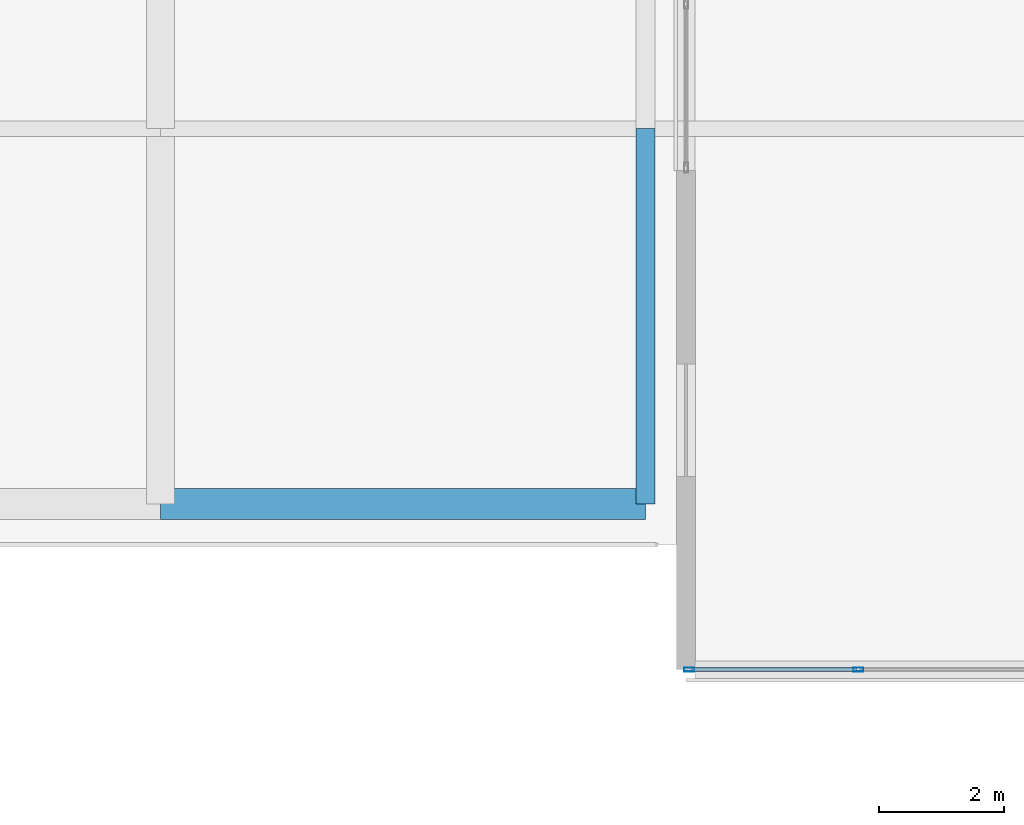
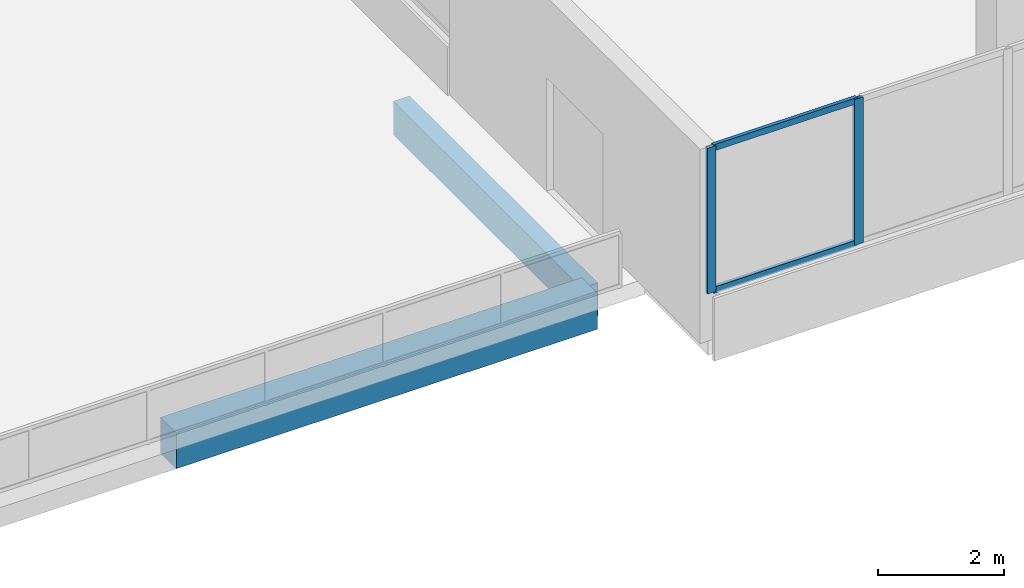
# One storey, part 38 of 78: 4 members, 2 beams, 1 element without a shape of its own.
"""IFC4 building model written with IfcOpenShell, lengths in metres."""

from ifc_helpers import new_model, si_unit, direction, frame, origin, origin_2d, place, context, subcontext, project, spatial, rectangle, hollow_rectangle, extrude, material, material_profile, profile_set, type_object, element, aggregate, save


model = new_model("IFC4")

# Units and contexts
model_context = context("Model", 3, precision=1e-05, world=origin(), true_north=direction((0.0, 1.0)))
body_context = subcontext(model_context, "Body", "Model", "MODEL_VIEW")
ifc_project = project(units=[si_unit("LENGTHUNIT", "METRE"), si_unit("AREAUNIT", "SQUARE_METRE"), si_unit("VOLUMEUNIT", "CUBIC_METRE"), si_unit("PLANEANGLEUNIT", "RADIAN"), si_unit("MASSUNIT", "GRAM", prefix="KILO")], contexts=[model_context])

# Site, building, storey
site_placement = place(None, origin())
site = spatial("IfcSite", under=ifc_project, at=site_placement, CompositionType="ELEMENT")
building_placement = place(site_placement, origin())
building = spatial("IfcBuilding", under=site, at=building_placement, Name="Selatvlak General Hospital", CompositionType="ELEMENT")
storey_placement = place(building_placement, frame((0.0, 0.0, 23.25)))
storey = spatial("IfcBuildingStorey", under=building, at=storey_placement, Name="L05", CompositionType="ELEMENT", Elevation=23.25)

# Beams
ifc_material_1 = material(Name="Concrete C40/50", Category="concrete")
ifc_material_profile_1 = material_profile(ifc_material_1, rectangle(XDim=0.5, YDim=0.699951171875, at=origin_2d()), Name="RC-BM 500x700")
ifc_profile_set_1 = profile_set([ifc_material_profile_1], Name="Concrete C40/50")
beam_type_1 = type_object("IfcBeamType", Name="BM-G03", PredefinedType="BEAM", material=ifc_profile_set_1)
beam_1_placement = place(storey_placement, frame((140.39990234375, 66.64990234375, -0.64990234375), z_axis=(1.0, 0.0, 0.0), x_axis=(0.0, 1.0, 0.0)))
element("IfcBeam", 1, at=beam_1_placement, inside=storey, type_object=beam_type_1, Name="Beam BMR-L05-1859", PredefinedType="BEAM", context=body_context, shape_type="SweptSolid", body=[
    extrude(rectangle(XDim=0.5, YDim=0.699951171875, at=origin_2d()), origin(), (0.0, 0.0, 1.0), 7.75),
])
ifc_material_profile_2 = material_profile(ifc_material_1, rectangle(XDim=0.300048828125, YDim=0.64990234375, at=origin_2d()), Name="RC-SP 300x650")
ifc_profile_set_2 = profile_set([ifc_material_profile_2], Name="Concrete C40/50")
beam_type_2 = type_object("IfcBeamType", Name="BM-SP1", PredefinedType="SPANDREL", material=ifc_profile_set_2)
beam_2_placement = place(storey_placement, frame((148.14990234375, 66.64990234375, -0.625), z_axis=(0.0, 1.0, 0.0), x_axis=(-1.0, 0.0, 0.0)))
element("IfcBeam", 2, at=beam_2_placement, inside=storey, type_object=beam_type_2, Name="Beam BMR-L05-2071", PredefinedType="SPANDREL", context=body_context, shape_type="SweptSolid", body=[
    extrude(rectangle(XDim=0.300048828125, YDim=0.64990234375, at=origin_2d()), origin(), (0.0, 0.0, 1.0), 6.0),
])

# Curtain wall, members
ifc_material_2 = material(Name="Solar-control Low-E double glazing", Category="glass")
curtain_wall_type = type_object("IfcCurtainWallType", Name="CW-CW-02", PredefinedType="USERDEFINED", material=ifc_material_2)
curtain_wall_placement = place(storey_placement, origin())
curtain_wall = element("IfcCurtainWall", 3, at=curtain_wall_placement, inside=storey, type_object=curtain_wall_type, Name="Glazed facade curtain wall CW-L05-0576", ObjectType="UNITISED CURTAIN WALL", PredefinedType="USERDEFINED")
ifc_material_3 = material(Name="Dark anodised aluminium mullion", Category="aluminium")
ifc_material_profile_3 = material_profile(ifc_material_3, hollow_rectangle(XDim=0.06494140625, YDim=0.159912109375, WallThickness=0.00390625, at=origin_2d()), Name="AL-MUL 65x160x4")
ifc_profile_set_3 = profile_set([ifc_material_profile_3], Name="Dark anodised aluminium mullion")
member_type_1 = type_object("IfcMemberType", Name="CWM-01", PredefinedType="MULLION", material=ifc_profile_set_3)
member_1_placement = place(storey_placement, frame((151.555908203125, 64.0, 0.93994140625), z_axis=(0.0, 0.0, 1.0), x_axis=(0.0, -1.0, 0.0)))
member_1 = element("IfcMember", 4, at=member_1_placement, type_object=member_type_1, Name="CW-02 mullion 3", PredefinedType="MULLION", context=body_context, shape_type="SweptSolid", body=[
    extrude(hollow_rectangle(XDim=0.06494140625, YDim=0.159912109375, WallThickness=0.00390625, at=origin_2d()), origin(), (0.0, 0.0, 1.0), 2.8349609375),
])
member_2_placement = place(storey_placement, frame((148.848388671875, 64.0, 0.93994140625), z_axis=(0.0, 0.0, 1.0), x_axis=(0.0, -1.0, 0.0)))
member_2 = element("IfcMember", 5, at=member_2_placement, type_object=member_type_1, Name="CW-02 mullion 4", PredefinedType="MULLION", context=body_context, shape_type="SweptSolid", body=[
    extrude(hollow_rectangle(XDim=0.06494140625, YDim=0.159912109375, WallThickness=0.00390625, at=origin_2d()), origin(), (0.0, 0.0, 1.0), 2.8349609375),
])
ifc_material_profile_4 = material_profile(ifc_material_3, hollow_rectangle(XDim=0.06494140625, YDim=0.1201171875, WallThickness=0.00390625, at=origin_2d()), Name="AL-TRN 65x120x4")
ifc_profile_set_4 = profile_set([ifc_material_profile_4], Name="Dark anodised aluminium mullion")
member_type_2 = type_object("IfcMemberType", Name="CWT-01", PredefinedType="USERDEFINED", material=ifc_profile_set_4)
member_3_placement = place(storey_placement, frame((151.5234375, 64.0, 0.972412109375), z_axis=(-1.0, 0.0, 0.0), x_axis=(0.0, -1.0, 0.0)))
member_3 = element("IfcMember", 6, at=member_3_placement, type_object=member_type_2, Name="CW-02 transom 3.1", ObjectType="TRANSOM", PredefinedType="USERDEFINED", context=body_context, shape_type="SweptSolid", body=[
    extrude(hollow_rectangle(XDim=0.06494140625, YDim=0.1201171875, WallThickness=0.00390625, at=origin_2d()), origin(), (0.0, 0.0, 1.0), 2.642333984375),
])
member_4_placement = place(storey_placement, frame((151.5234375, 64.0, 3.742431640625), z_axis=(-1.0, 0.0, 0.0), x_axis=(0.0, -1.0, 0.0)))
member_4 = element("IfcMember", 7, at=member_4_placement, type_object=member_type_2, Name="CW-02 transom 3.2", ObjectType="TRANSOM", PredefinedType="USERDEFINED", context=body_context, shape_type="SweptSolid", body=[
    extrude(hollow_rectangle(XDim=0.06494140625, YDim=0.1201171875, WallThickness=0.00390625, at=origin_2d()), origin(), (0.0, 0.0, 1.0), 2.642333984375),
])
aggregate(curtain_wall, [member_1, member_2, member_3, member_4])

save(model, "model.ifc")
